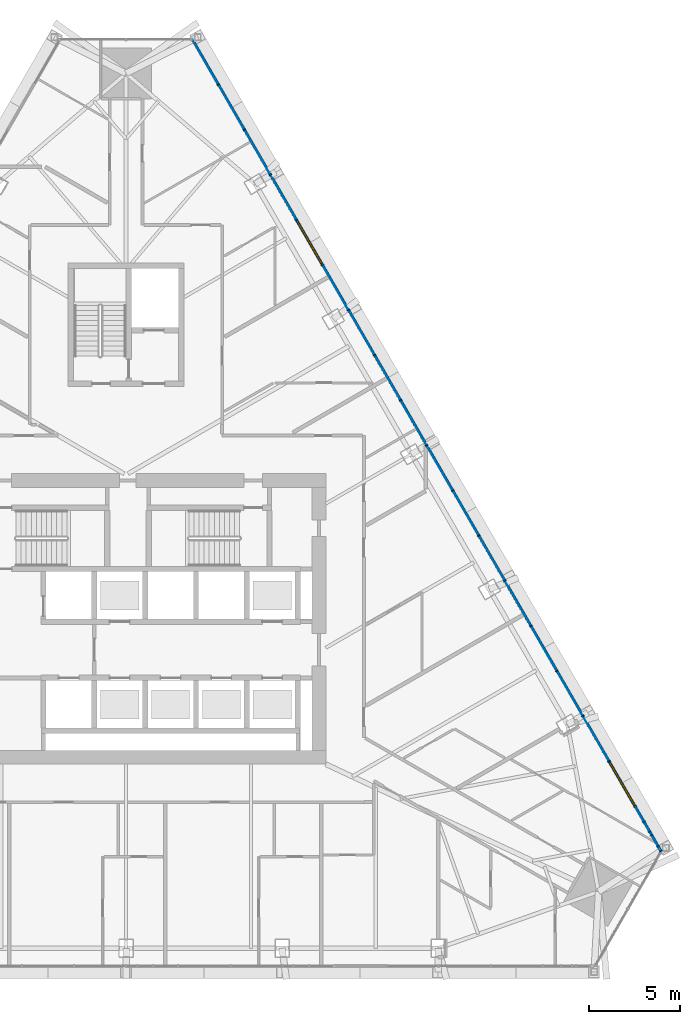
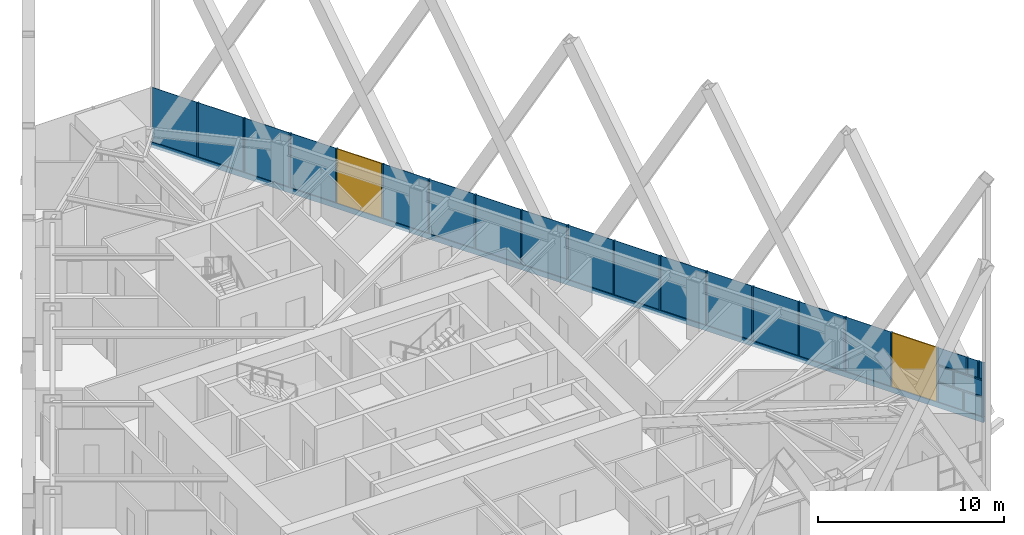
# One storey, part 13 of 23: 25 members, 22 plates, 2 windows, 2 openings, 1 element without a shape of its own.
"""IFC4 building model written with IfcOpenShell, lengths in metres."""

from ifc_helpers import new_model, si_unit, direction, frame, frame_2d, origin, origin_2d, place, context, subcontext, project, spatial, polyline, rectangle, outline, extrude, material, layer, layer_set, material_profile, profile_set, type_object, element, fill, aggregate, save


model = new_model("IFC4")

# Units and contexts
model_context = context("Model", 3, precision=1e-05, world=origin(), true_north=direction((0.0, 1.0)))
body_context = subcontext(model_context, "Body", "Model", "MODEL_VIEW")
ifc_project = project(units=[si_unit("LENGTHUNIT", "METRE"), si_unit("AREAUNIT", "SQUARE_METRE"), si_unit("VOLUMEUNIT", "CUBIC_METRE"), si_unit("PLANEANGLEUNIT", "RADIAN"), si_unit("MASSUNIT", "GRAM", prefix="KILO")], contexts=[model_context])

# Site, building, storey
site_placement = place(None, origin())
site = spatial("IfcSite", under=ifc_project, at=site_placement, CompositionType="ELEMENT")
building_placement = place(site_placement, origin())
building = spatial("IfcBuilding", under=site, at=building_placement, Name="Firuza Gate Tower and Library", CompositionType="ELEMENT")
storey_placement = place(building_placement, frame((0.0, 0.0, 202.60009765625)))
storey = spatial("IfcBuildingStorey", under=building, at=storey_placement, Name="L47", CompositionType="ELEMENT", Elevation=202.60009765625)

# Curtain wall, openings, members, plates, windows
ifc_material_1 = material(Name="Aluminium 6063-T6", Category="aluminium")
ifc_layer_1 = layer(ifc_material_1, 0.14990234375)
ifc_layer_set_1 = layer_set([ifc_layer_1], Name="Unitised curtain wall, hotel")
curtain_wall_type = type_object("IfcCurtainWallType", Name="Unitised curtain wall, hotel", PredefinedType="NOTDEFINED", material=ifc_layer_set_1)
curtain_wall_placement = place(storey_placement, origin())
curtain_wall = element("IfcCurtainWall", 1, at=curtain_wall_placement, inside=storey, type_object=curtain_wall_type, Name="CW2 L47 E face", PredefinedType="NOTDEFINED")
opening_1_placement = place(curtain_wall_placement, frame((103.01318359375, 64.71337890625, 0.14990234375), z_axis=(0.0, 0.0, 1.0), x_axis=(-0.5, 0.866025, 0.0)))
opening_1 = element("IfcOpeningElement", 2, at=opening_1_placement, cuts=curtain_wall, Name="Opening WD1-001", PredefinedType="OPENING", context=body_context, shape_type="SweptSolid", body=[
    extrude(rectangle(XDim=2.789306640625, YDim=3.550048828125, at=frame_2d((1.39453125, 1.77490234375))), frame((0.0, 0.0849609375, 0.0), z_axis=(0.0, -1.0, 0.0), x_axis=(1.0, 0.0, 0.0)), (0.0, 0.0, 1.0), 0.169921875),
])
opening_2_placement = place(curtain_wall_placement, frame((85.796875, 94.532958984375, 0.14990234375), z_axis=(0.0, 0.0, 1.0), x_axis=(-0.5, 0.866025, 0.0)))
opening_2 = element("IfcOpeningElement", 3, at=opening_2_placement, cuts=curtain_wall, Name="Opening WD1-002", PredefinedType="OPENING", context=body_context, shape_type="SweptSolid", body=[
    extrude(rectangle(XDim=2.789306640625, YDim=3.550048828125, at=frame_2d((1.39453125, 1.77490234375))), frame((0.0, 0.0849609375, 0.0), z_axis=(0.0, -1.0, 0.0), x_axis=(1.0, 0.0, 0.0)), (0.0, 0.0, 1.0), 0.169921875),
])
ifc_material_2 = material(Name="Aluminium 6063-T6", Category="aluminium")
ifc_material_profile_1 = material_profile(ifc_material_2, rectangle(XDim=0.14990234375, YDim=0.080078125, at=origin_2d()))
ifc_profile_set_1 = profile_set([ifc_material_profile_1], Name="Aluminium 6063-T6")
member_type_1 = type_object("IfcMemberType", Name="Curtain wall mullion 80x150", PredefinedType="MULLION", material=ifc_profile_set_1)
member_1_placement = place(storey_placement, frame((104.44775390625, 62.228271484375, 0.14990234375), z_axis=(0.0, 0.0, 1.0), x_axis=(-0.866025403784, -0.5, 0.0)))
member_1 = element("IfcMember", 4, at=member_1_placement, type_object=member_type_1, Name="Mullion", PredefinedType="MULLION", context=body_context, shape_type="SweptSolid", body=[
    extrude(rectangle(XDim=0.14990234375, YDim=0.080078125, at=origin_2d()), origin(), (0.0, 0.0, 1.0), 3.550048828125),
])
member_2_placement = place(storey_placement, frame((103.033203125, 64.6787109375, 0.14990234375), z_axis=(0.0, 0.0, 1.0), x_axis=(-0.866025403784, -0.5, 0.0)))
member_2 = element("IfcMember", 5, at=member_2_placement, type_object=member_type_1, Name="Mullion", PredefinedType="MULLION", context=body_context, shape_type="SweptSolid", body=[
    extrude(rectangle(XDim=0.14990234375, YDim=0.080078125, at=origin_2d()), origin(), (0.0, 0.0, 1.0), 3.550048828125),
])
member_3_placement = place(storey_placement, frame((101.598388671875, 67.16357421875, 0.14990234375), z_axis=(0.0, 0.0, 1.0), x_axis=(-0.866025403784, -0.5, 0.0)))
member_3 = element("IfcMember", 6, at=member_3_placement, type_object=member_type_1, Name="Mullion", PredefinedType="MULLION", context=body_context, shape_type="SweptSolid", body=[
    extrude(rectangle(XDim=0.14990234375, YDim=0.080078125, at=origin_2d()), origin(), (0.0, 0.0, 1.0), 3.550048828125),
])
member_4_placement = place(storey_placement, frame((100.163818359375, 69.648681640625, 0.14990234375), z_axis=(0.0, 0.0, 1.0), x_axis=(-0.866025403784, -0.5, 0.0)))
member_4 = element("IfcMember", 7, at=member_4_placement, type_object=member_type_1, Name="Mullion", PredefinedType="MULLION", context=body_context, shape_type="SweptSolid", body=[
    extrude(rectangle(XDim=0.14990234375, YDim=0.080078125, at=origin_2d()), origin(), (0.0, 0.0, 1.0), 3.550048828125),
])
member_5_placement = place(storey_placement, frame((98.72900390625, 72.133544921875, 0.14990234375), z_axis=(0.0, 0.0, 1.0), x_axis=(-0.866025403784, -0.5, 0.0)))
member_5 = element("IfcMember", 8, at=member_5_placement, type_object=member_type_1, Name="Mullion", PredefinedType="MULLION", context=body_context, shape_type="SweptSolid", body=[
    extrude(rectangle(XDim=0.14990234375, YDim=0.080078125, at=origin_2d()), origin(), (0.0, 0.0, 1.0), 3.550048828125),
])
member_6_placement = place(storey_placement, frame((97.29443359375, 74.618408203125, 0.14990234375), z_axis=(0.0, 0.0, 1.0), x_axis=(-0.866025403784, -0.5, 0.0)))
member_6 = element("IfcMember", 9, at=member_6_placement, type_object=member_type_1, Name="Mullion", PredefinedType="MULLION", context=body_context, shape_type="SweptSolid", body=[
    extrude(rectangle(XDim=0.14990234375, YDim=0.080078125, at=origin_2d()), origin(), (0.0, 0.0, 1.0), 3.550048828125),
])
member_7_placement = place(storey_placement, frame((95.859619140625, 77.103515625, 0.14990234375), z_axis=(0.0, 0.0, 1.0), x_axis=(-0.866025403784, -0.5, 0.0)))
member_7 = element("IfcMember", 10, at=member_7_placement, type_object=member_type_1, Name="Mullion", PredefinedType="MULLION", context=body_context, shape_type="SweptSolid", body=[
    extrude(rectangle(XDim=0.14990234375, YDim=0.080078125, at=origin_2d()), origin(), (0.0, 0.0, 1.0), 3.550048828125),
])
member_8_placement = place(storey_placement, frame((94.425048828125, 79.58837890625, 0.14990234375), z_axis=(0.0, 0.0, 1.0), x_axis=(-0.866025403784, -0.5, 0.0)))
member_8 = element("IfcMember", 11, at=member_8_placement, type_object=member_type_1, Name="Mullion", PredefinedType="MULLION", context=body_context, shape_type="SweptSolid", body=[
    extrude(rectangle(XDim=0.14990234375, YDim=0.080078125, at=origin_2d()), origin(), (0.0, 0.0, 1.0), 3.550048828125),
])
member_9_placement = place(storey_placement, frame((92.990234375, 82.073486328125, 0.14990234375), z_axis=(0.0, 0.0, 1.0), x_axis=(-0.866025403784, -0.5, 0.0)))
member_9 = element("IfcMember", 12, at=member_9_placement, type_object=member_type_1, Name="Mullion", PredefinedType="MULLION", context=body_context, shape_type="SweptSolid", body=[
    extrude(rectangle(XDim=0.14990234375, YDim=0.080078125, at=origin_2d()), origin(), (0.0, 0.0, 1.0), 3.550048828125),
])
member_10_placement = place(storey_placement, frame((91.5556640625, 84.558349609375, 0.14990234375), z_axis=(0.0, 0.0, 1.0), x_axis=(-0.866025403784, -0.5, 0.0)))
member_10 = element("IfcMember", 13, at=member_10_placement, type_object=member_type_1, Name="Mullion", PredefinedType="MULLION", context=body_context, shape_type="SweptSolid", body=[
    extrude(rectangle(XDim=0.14990234375, YDim=0.080078125, at=origin_2d()), origin(), (0.0, 0.0, 1.0), 3.550048828125),
])
member_11_placement = place(storey_placement, frame((90.120849609375, 87.043212890625, 0.14990234375), z_axis=(0.0, 0.0, 1.0), x_axis=(-0.866025403784, -0.5, 0.0)))
member_11 = element("IfcMember", 14, at=member_11_placement, type_object=member_type_1, Name="Mullion", PredefinedType="MULLION", context=body_context, shape_type="SweptSolid", body=[
    extrude(rectangle(XDim=0.14990234375, YDim=0.080078125, at=origin_2d()), origin(), (0.0, 0.0, 1.0), 3.550048828125),
])
member_12_placement = place(storey_placement, frame((88.686279296875, 89.5283203125, 0.14990234375), z_axis=(0.0, 0.0, 1.0), x_axis=(-0.866025403784, -0.5, 0.0)))
member_12 = element("IfcMember", 15, at=member_12_placement, type_object=member_type_1, Name="Mullion", PredefinedType="MULLION", context=body_context, shape_type="SweptSolid", body=[
    extrude(rectangle(XDim=0.14990234375, YDim=0.080078125, at=origin_2d()), origin(), (0.0, 0.0, 1.0), 3.550048828125),
])
member_13_placement = place(storey_placement, frame((87.25146484375, 92.01318359375, 0.14990234375), z_axis=(0.0, 0.0, 1.0), x_axis=(-0.866025403784, -0.5, 0.0)))
member_13 = element("IfcMember", 16, at=member_13_placement, type_object=member_type_1, Name="Mullion", PredefinedType="MULLION", context=body_context, shape_type="SweptSolid", body=[
    extrude(rectangle(XDim=0.14990234375, YDim=0.080078125, at=origin_2d()), origin(), (0.0, 0.0, 1.0), 3.550048828125),
])
member_14_placement = place(storey_placement, frame((85.81689453125, 94.498291015625, 0.14990234375), z_axis=(0.0, 0.0, 1.0), x_axis=(-0.866025403784, -0.5, 0.0)))
member_14 = element("IfcMember", 17, at=member_14_placement, type_object=member_type_1, Name="Mullion", PredefinedType="MULLION", context=body_context, shape_type="SweptSolid", body=[
    extrude(rectangle(XDim=0.14990234375, YDim=0.080078125, at=origin_2d()), origin(), (0.0, 0.0, 1.0), 3.550048828125),
])
member_15_placement = place(storey_placement, frame((84.382080078125, 96.983154296875, 0.14990234375), z_axis=(0.0, 0.0, 1.0), x_axis=(-0.866025403784, -0.5, 0.0)))
member_15 = element("IfcMember", 18, at=member_15_placement, type_object=member_type_1, Name="Mullion", PredefinedType="MULLION", context=body_context, shape_type="SweptSolid", body=[
    extrude(rectangle(XDim=0.14990234375, YDim=0.080078125, at=origin_2d()), origin(), (0.0, 0.0, 1.0), 3.550048828125),
])
member_16_placement = place(storey_placement, frame((82.947265625, 99.46826171875, 0.14990234375), z_axis=(0.0, 0.0, 1.0), x_axis=(-0.866025403784, -0.5, 0.0)))
member_16 = element("IfcMember", 19, at=member_16_placement, type_object=member_type_1, Name="Mullion", PredefinedType="MULLION", context=body_context, shape_type="SweptSolid", body=[
    extrude(rectangle(XDim=0.14990234375, YDim=0.080078125, at=origin_2d()), origin(), (0.0, 0.0, 1.0), 3.550048828125),
])
member_17_placement = place(storey_placement, frame((81.5126953125, 101.953125, 0.14990234375), z_axis=(0.0, 0.0, 1.0), x_axis=(-0.866025403784, -0.5, 0.0)))
member_17 = element("IfcMember", 20, at=member_17_placement, type_object=member_type_1, Name="Mullion", PredefinedType="MULLION", context=body_context, shape_type="SweptSolid", body=[
    extrude(rectangle(XDim=0.14990234375, YDim=0.080078125, at=origin_2d()), origin(), (0.0, 0.0, 1.0), 3.550048828125),
])
member_18_placement = place(storey_placement, frame((80.077880859375, 104.43798828125, 0.14990234375), z_axis=(0.0, 0.0, 1.0), x_axis=(-0.866025403784, -0.5, 0.0)))
member_18 = element("IfcMember", 21, at=member_18_placement, type_object=member_type_1, Name="Mullion", PredefinedType="MULLION", context=body_context, shape_type="SweptSolid", body=[
    extrude(rectangle(XDim=0.14990234375, YDim=0.080078125, at=origin_2d()), origin(), (0.0, 0.0, 1.0), 3.550048828125),
])
member_19_placement = place(storey_placement, frame((103.83544921875, 63.288818359375, 0.14990234375), z_axis=(0.0, 0.0, 1.0), x_axis=(-0.866025403784, -0.5, 0.0)))
member_19 = element("IfcMember", 22, at=member_19_placement, type_object=member_type_1, Name="Mullion", PredefinedType="MULLION", context=body_context, shape_type="SweptSolid", body=[
    extrude(rectangle(XDim=0.14990234375, YDim=0.080078125, at=origin_2d()), origin(), (0.0, 0.0, 1.0), 1.260009765625),
])
member_20_placement = place(storey_placement, frame((103.525634765625, 63.82568359375, 1.489990234375), z_axis=(0.0, 0.0, 1.0), x_axis=(-0.866025403784, -0.5, 0.0)))
member_20 = element("IfcMember", 23, at=member_20_placement, type_object=member_type_1, Name="Mullion", PredefinedType="MULLION", context=body_context, shape_type="SweptSolid", body=[
    extrude(rectangle(XDim=0.14990234375, YDim=0.080078125, at=origin_2d()), origin(), (0.0, 0.0, 1.0), 1.044921875),
])
member_21_placement = place(storey_placement, frame((104.30224609375, 62.48046875, 2.614990234375), z_axis=(0.0, 0.0, 1.0), x_axis=(-0.866025403784, -0.5, 0.0)))
member_21 = element("IfcMember", 24, at=member_21_placement, type_object=member_type_1, Name="Mullion", PredefinedType="MULLION", context=body_context, shape_type="SweptSolid", body=[
    extrude(rectangle(XDim=0.14990234375, YDim=0.080078125, at=origin_2d()), origin(), (0.0, 0.0, 1.0), 1.0849609375),
])
member_22_placement = place(storey_placement, frame((103.9482421875, 63.09375, 2.614990234375), z_axis=(0.0, 0.0, 1.0), x_axis=(-0.866025403784, -0.5, 0.0)))
member_22 = element("IfcMember", 25, at=member_22_placement, type_object=member_type_1, Name="Mullion", PredefinedType="MULLION", context=body_context, shape_type="SweptSolid", body=[
    extrude(rectangle(XDim=0.14990234375, YDim=0.080078125, at=origin_2d()), origin(), (0.0, 0.0, 1.0), 1.0849609375),
])
ifc_material_3 = material(Name="Aluminium 6063-T6", Category="aluminium")
ifc_material_profile_2 = material_profile(ifc_material_3, rectangle(XDim=0.14990234375, YDim=0.35009765625, at=origin_2d()))
ifc_profile_set_2 = profile_set([ifc_material_profile_2], Name="Aluminium 6063-T6")
member_type_2 = type_object("IfcMemberType", Name="Curtain wall transom 350x150", PredefinedType="USERDEFINED", material=ifc_profile_set_2)
member_23_placement = place(storey_placement, frame((104.4677734375, 62.193603515625, -0.025146484375), z_axis=(-0.499998236205, 0.86602642211, 0.0), x_axis=(-0.86602642211, -0.499998236205, 0.0)))
member_23 = element("IfcMember", 26, at=member_23_placement, type_object=member_type_2, Name="Transom", ObjectType="TRANSOM", PredefinedType="USERDEFINED", context=body_context, shape_type="SweptSolid", body=[
    extrude(rectangle(XDim=0.14990234375, YDim=0.35009765625, at=origin_2d()), origin(), (0.0, 0.0, 1.0), 51.649169921875),
])
ifc_material_4 = material(Name="Aluminium 6063-T6", Category="aluminium")
ifc_material_profile_3 = material_profile(ifc_material_4, rectangle(XDim=0.14990234375, YDim=0.080078125, at=origin_2d()))
ifc_profile_set_3 = profile_set([ifc_material_profile_3], Name="Aluminium 6063-T6")
member_type_3 = type_object("IfcMemberType", Name="Curtain wall transom 80x150", PredefinedType="USERDEFINED", material=ifc_profile_set_3)
member_24_placement = place(storey_placement, frame((104.44775390625, 62.228271484375, 1.449951171875), z_axis=(-0.499942172484, 0.866058787942, 0.0), x_axis=(-0.866058787942, -0.499942172484, 0.0)))
member_24 = element("IfcMember", 27, at=member_24_placement, type_object=member_type_3, Name="Transom", ObjectType="TRANSOM", PredefinedType="USERDEFINED", context=body_context, shape_type="SweptSolid", body=[
    extrude(rectangle(XDim=0.14990234375, YDim=0.080078125, at=origin_2d()), origin(), (0.0, 0.0, 1.0), 2.789306640625),
])
member_25_placement = place(storey_placement, frame((104.44775390625, 62.228271484375, 2.574951171875), z_axis=(-0.499942172484, 0.866058787942, 0.0), x_axis=(-0.866058787942, -0.499942172484, 0.0)))
member_25 = element("IfcMember", 28, at=member_25_placement, type_object=member_type_3, Name="Transom", ObjectType="TRANSOM", PredefinedType="USERDEFINED", context=body_context, shape_type="SweptSolid", body=[
    extrude(rectangle(XDim=0.14990234375, YDim=0.080078125, at=origin_2d()), origin(), (0.0, 0.0, 1.0), 2.789306640625),
])
ifc_material_5 = material(Name="Fritted glass", Category="glass")
ifc_layer_2 = layer(ifc_material_5, 0.030029296875)
ifc_layer_set_2 = layer_set([ifc_layer_2], Name="Fritted glass unit, hotel")
plate_type_1 = type_object("IfcPlateType", Name="Fritted glass unit, hotel", PredefinedType="CURTAIN_PANEL", material=ifc_layer_set_2)
plate_1_placement = place(storey_placement, frame((103.828369140625, 63.3310546875, 0.14990234375), z_axis=(0.866086938345, 0.499893403866, 0.0), x_axis=(-0.499893403866, 0.866086938345, 0.0)))
plate_1 = element("IfcPlate", 29, at=plate_1_placement, type_object=plate_type_1, Name="Glass unit", PredefinedType="CURTAIN_PANEL", context=body_context, shape_type="SweptSolid", body=[
    extrude(outline(polyline([(0.0, 0.0), (1.5247391250918054, 0.0), (1.5247391250918054, 1.260009765625), (0.0, 1.260009765625), (0.0, 0.0)])), origin(), (0.0, 0.0, -1.0), 0.030029296875),
])
plate_2_placement = place(storey_placement, frame((103.5185546875, 63.86767578125, 1.489990234375), z_axis=(0.866127201872, 0.499823639075, 0.0), x_axis=(-0.499823639075, 0.866127201872, 0.0)))
plate_2 = element("IfcPlate", 30, at=plate_2_placement, type_object=plate_type_1, Name="Glass unit", PredefinedType="CURTAIN_PANEL", context=body_context, shape_type="SweptSolid", body=[
    extrude(outline(polyline([(0.0, 0.0), (0.9051044063514383, 0.0), (0.9051044063514383, 1.044921875), (0.0, 1.044921875), (0.0, 0.0)])), origin(), (0.0, 0.0, -1.0), 0.030029296875),
])
plate_3_placement = place(storey_placement, frame((104.295166015625, 62.522705078125, 2.614990234375), z_axis=(0.866082022179, 0.49990192124, 0.0), x_axis=(-0.49990192124, 0.866082022179, 0.0)))
plate_3 = element("IfcPlate", 31, at=plate_3_placement, type_object=plate_type_1, Name="Glass unit", PredefinedType="CURTAIN_PANEL", context=body_context, shape_type="SweptSolid", body=[
    extrude(outline(polyline([(0.0, 0.0), (0.6280528847968812, 0.0), (0.6280528847968812, 1.0849609375), (0.0, 1.0849609375), (0.0, 0.0)])), origin(), (0.0, 0.0, -1.0), 0.030029296875),
])
plate_4_placement = place(storey_placement, frame((98.721923828125, 72.17578125, 0.14990234375), z_axis=(0.866036909293, 0.499980071345, 0.0), x_axis=(-0.499980071345, 0.866036909293, 0.0)))
plate_4 = element("IfcPlate", 32, at=plate_4_placement, type_object=plate_type_1, Name="Glass unit", PredefinedType="CURTAIN_PANEL", context=body_context, shape_type="SweptSolid", body=[
    extrude(outline(polyline([(0.0, 0.0), (2.789173668961919, 0.0), (2.789173668961919, 3.550048828125), (0.0, 3.550048828125), (0.0, 0.0)])), origin(), (0.0, 0.0, -1.0), 0.030029296875),
])
plate_5_placement = place(storey_placement, frame((94.41796875, 79.630615234375, 0.14990234375), z_axis=(0.865999007209, 0.500045717423, 0.0), x_axis=(-0.500045717423, 0.865999007209, 0.0)))
plate_5 = element("IfcPlate", 33, at=plate_5_placement, type_object=plate_type_1, Name="Glass unit", PredefinedType="CURTAIN_PANEL", context=body_context, shape_type="SweptSolid", body=[
    extrude(outline(polyline([(0.0, 0.0), (2.7892957424226377, 0.0), (2.7892957424226377, 3.550048828125), (0.0, 3.550048828125), (0.0, 0.0)])), origin(), (0.0, 0.0, -1.0), 0.030029296875),
])
plate_6_placement = place(storey_placement, frame((90.11376953125, 87.08544921875, 0.14990234375), z_axis=(0.866058787942, 0.499942172484, 0.0), x_axis=(-0.499942172484, 0.866058787942, 0.0)))
plate_6 = element("IfcPlate", 34, at=plate_6_placement, type_object=plate_type_1, Name="Glass unit", PredefinedType="CURTAIN_PANEL", context=body_context, shape_type="SweptSolid", body=[
    extrude(outline(polyline([(0.0, 0.0), (2.789385106425062, 0.0), (2.789385106425062, 3.550048828125), (0.0, 3.550048828125), (0.0, 0.0)])), origin(), (0.0, 0.0, -1.0), 0.030029296875),
])
plate_7_placement = place(storey_placement, frame((81.505615234375, 101.995361328125, 0.14990234375), z_axis=(0.866036909293, 0.499980071345, 0.0), x_axis=(-0.499980071345, 0.866036909293, 0.0)))
plate_7 = element("IfcPlate", 35, at=plate_7_placement, type_object=plate_type_1, Name="Glass unit", PredefinedType="CURTAIN_PANEL", context=body_context, shape_type="SweptSolid", body=[
    extrude(outline(polyline([(0.0, 0.0), (2.789173668961919, 0.0), (2.789173668961919, 3.550048828125), (0.0, 3.550048828125), (0.0, 0.0)])), origin(), (0.0, 0.0, -1.0), 0.030029296875),
])
ifc_material_6 = material(Name="Glazed ceramic tile")
ifc_layer_3 = layer(ifc_material_6, 0.030029296875)
ifc_layer_set_3 = layer_set([ifc_layer_3], Name="Opaque ceramic panel, hotel")
plate_type_2 = type_object("IfcPlateType", Name="Opaque ceramic panel, hotel", PredefinedType="CURTAIN_PANEL", material=ifc_layer_set_3)
plate_8_placement = place(storey_placement, frame((104.460693359375, 62.23583984375, 0.14990234375), z_axis=(0.866027709035, 0.499996007168, 0.0), x_axis=(-0.499996007168, 0.866027709035, 0.0)))
plate_8 = element("IfcPlate", 36, at=plate_8_placement, type_object=plate_type_2, Name="Opaque ceramic panel", PredefinedType="CURTAIN_PANEL", context=body_context, shape_type="SweptSolid", body=[
    extrude(outline(polyline([(0.0, 0.0), (1.1845797721566846, 0.0), (1.1845797721566846, 1.260009765625), (0.0, 1.260009765625), (0.0, 0.0)])), origin(), (0.0, 0.0, -1.0), 0.030029296875),
])
plate_9_placement = place(storey_placement, frame((104.460693359375, 62.23583984375, 1.489990234375), z_axis=(0.866027848477, 0.499995765644, 0.0), x_axis=(-0.499995765644, 0.866027848477, 0.0)))
plate_9 = element("IfcPlate", 37, at=plate_9_placement, type_object=plate_type_2, Name="Opaque ceramic panel", PredefinedType="CURTAIN_PANEL", context=body_context, shape_type="SweptSolid", body=[
    extrude(outline(polyline([(0.0, 0.0), (1.8042144981222514, 0.0), (1.8042144981222514, 1.044921875), (0.0, 1.044921875), (0.0, 0.0)])), origin(), (0.0, 0.0, -1.0), 0.030029296875),
])
plate_10_placement = place(storey_placement, frame((104.460693359375, 62.23583984375, 2.614990234375), z_axis=(0.866201770413, 0.499694399542, 0.0), x_axis=(-0.499694399542, 0.866201770413, 0.0)))
plate_10 = element("IfcPlate", 38, at=plate_10_placement, type_object=plate_type_2, Name="Opaque ceramic panel", PredefinedType="CURTAIN_PANEL", context=body_context, shape_type="SweptSolid", body=[
    extrude(outline(polyline([(0.0, 0.0), (0.25113005341856437, 0.0), (0.25113005341856437, 1.0849609375), (0.0, 1.0849609375), (0.0, 0.0)])), origin(), (0.0, 0.0, -1.0), 0.030029296875),
])
plate_11_placement = place(storey_placement, frame((103.941162109375, 63.1357421875, 2.614990234375), z_axis=(0.866071776036, 0.499919672301, 0.0), x_axis=(-0.499919672301, 0.866071776036, 0.0)))
plate_11 = element("IfcPlate", 39, at=plate_11_placement, type_object=plate_type_2, Name="Opaque ceramic panel", PredefinedType="CURTAIN_PANEL", context=body_context, shape_type="SweptSolid", body=[
    extrude(outline(polyline([(0.0, 0.0), (1.7502811921229047, 0.0), (1.7502811921229047, 1.0849609375), (0.0, 1.0849609375), (0.0, 0.0)])), origin(), (0.0, 0.0, -1.0), 0.030029296875),
])
plate_12_placement = place(storey_placement, frame((101.59130859375, 67.205810546875, 0.14990234375), z_axis=(0.866036909293, 0.499980071345, 0.0), x_axis=(-0.499980071345, 0.866036909293, 0.0)))
plate_12 = element("IfcPlate", 40, at=plate_12_placement, type_object=plate_type_2, Name="Opaque ceramic panel", PredefinedType="CURTAIN_PANEL", context=body_context, shape_type="SweptSolid", body=[
    extrude(outline(polyline([(0.0, 0.0), (2.789173668961919, 0.0), (2.789173668961919, 3.550048828125), (0.0, 3.550048828125), (0.0, 0.0)])), origin(), (0.0, 0.0, -1.0), 0.030029296875),
])
plate_13_placement = place(storey_placement, frame((100.15673828125, 69.690673828125, 0.14990234375), z_axis=(0.866020890646, 0.500007816904, 0.0), x_axis=(-0.500007816904, 0.866020890646, 0.0)))
plate_13 = element("IfcPlate", 41, at=plate_13_placement, type_object=plate_type_2, Name="Opaque ceramic panel", PredefinedType="CURTAIN_PANEL", context=body_context, shape_type="SweptSolid", body=[
    extrude(outline(polyline([(0.0, 0.0), (2.789507170632926, 0.0), (2.789507170632926, 3.550048828125), (0.0, 3.550048828125), (0.0, 0.0)])), origin(), (0.0, 0.0, -1.0), 0.030029296875),
])
plate_14_placement = place(storey_placement, frame((97.287353515625, 74.66064453125, 0.14990234375), z_axis=(0.866020890646, 0.500007816904, 0.0), x_axis=(-0.500007816904, 0.866020890646, 0.0)))
plate_14 = element("IfcPlate", 42, at=plate_14_placement, type_object=plate_type_2, Name="Opaque ceramic panel", PredefinedType="CURTAIN_PANEL", context=body_context, shape_type="SweptSolid", body=[
    extrude(outline(polyline([(0.0, 0.0), (2.789507170632926, 0.0), (2.789507170632926, 3.550048828125), (0.0, 3.550048828125), (0.0, 0.0)])), origin(), (0.0, 0.0, -1.0), 0.030029296875),
])
plate_15_placement = place(storey_placement, frame((95.8525390625, 77.1455078125, 0.14990234375), z_axis=(0.866058787942, 0.499942172484, 0.0), x_axis=(-0.499942172484, 0.866058787942, 0.0)))
plate_15 = element("IfcPlate", 43, at=plate_15_placement, type_object=plate_type_2, Name="Opaque ceramic panel", PredefinedType="CURTAIN_PANEL", context=body_context, shape_type="SweptSolid", body=[
    extrude(outline(polyline([(0.0, 0.0), (2.789385106425062, 0.0), (2.789385106425062, 3.550048828125), (0.0, 3.550048828125), (0.0, 0.0)])), origin(), (0.0, 0.0, -1.0), 0.030029296875),
])
plate_16_placement = place(storey_placement, frame((92.983154296875, 82.115478515625, 0.14990234375), z_axis=(0.866058787942, 0.499942172484, 0.0), x_axis=(-0.499942172484, 0.866058787942, 0.0)))
plate_16 = element("IfcPlate", 44, at=plate_16_placement, type_object=plate_type_2, Name="Opaque ceramic panel", PredefinedType="CURTAIN_PANEL", context=body_context, shape_type="SweptSolid", body=[
    extrude(outline(polyline([(0.0, 0.0), (2.789385106425062, 0.0), (2.789385106425062, 3.550048828125), (0.0, 3.550048828125), (0.0, 0.0)])), origin(), (0.0, 0.0, -1.0), 0.030029296875),
])
plate_17_placement = place(storey_placement, frame((91.548583984375, 84.6005859375, 0.14990234375), z_axis=(0.865999007209, 0.500045717423, 0.0), x_axis=(-0.500045717423, 0.865999007209, 0.0)))
plate_17 = element("IfcPlate", 45, at=plate_17_placement, type_object=plate_type_2, Name="Opaque ceramic panel", PredefinedType="CURTAIN_PANEL", context=body_context, shape_type="SweptSolid", body=[
    extrude(outline(polyline([(0.0, 0.0), (2.7892957424226377, 0.0), (2.7892957424226377, 3.550048828125), (0.0, 3.550048828125), (0.0, 0.0)])), origin(), (0.0, 0.0, -1.0), 0.030029296875),
])
plate_18_placement = place(storey_placement, frame((88.67919921875, 89.5703125, 0.14990234375), z_axis=(0.866020890646, 0.500007816904, 0.0), x_axis=(-0.500007816904, 0.866020890646, 0.0)))
plate_18 = element("IfcPlate", 46, at=plate_18_placement, type_object=plate_type_2, Name="Opaque ceramic panel", PredefinedType="CURTAIN_PANEL", context=body_context, shape_type="SweptSolid", body=[
    extrude(outline(polyline([(0.0, 0.0), (2.789507170632926, 0.0), (2.789507170632926, 3.550048828125), (0.0, 3.550048828125), (0.0, 0.0)])), origin(), (0.0, 0.0, -1.0), 0.030029296875),
])
plate_19_placement = place(storey_placement, frame((87.244384765625, 92.055419921875, 0.14990234375), z_axis=(0.866058787942, 0.499942172484, 0.0), x_axis=(-0.499942172484, 0.866058787942, 0.0)))
plate_19 = element("IfcPlate", 47, at=plate_19_placement, type_object=plate_type_2, Name="Opaque ceramic panel", PredefinedType="CURTAIN_PANEL", context=body_context, shape_type="SweptSolid", body=[
    extrude(outline(polyline([(0.0, 0.0), (2.789385106425062, 0.0), (2.789385106425062, 3.550048828125), (0.0, 3.550048828125), (0.0, 0.0)])), origin(), (0.0, 0.0, -1.0), 0.030029296875),
])
plate_20_placement = place(storey_placement, frame((84.375, 97.025390625, 0.14990234375), z_axis=(0.866036909293, 0.499980071345, 0.0), x_axis=(-0.499980071345, 0.866036909293, 0.0)))
plate_20 = element("IfcPlate", 48, at=plate_20_placement, type_object=plate_type_2, Name="Opaque ceramic panel", PredefinedType="CURTAIN_PANEL", context=body_context, shape_type="SweptSolid", body=[
    extrude(outline(polyline([(0.0, 0.0), (2.789173668961919, 0.0), (2.789173668961919, 3.550048828125), (0.0, 3.550048828125), (0.0, 0.0)])), origin(), (0.0, 0.0, -1.0), 0.030029296875),
])
plate_21_placement = place(storey_placement, frame((82.9404296875, 99.51025390625, 0.14990234375), z_axis=(0.866020890646, 0.500007816904, 0.0), x_axis=(-0.500007816904, 0.866020890646, 0.0)))
plate_21 = element("IfcPlate", 49, at=plate_21_placement, type_object=plate_type_2, Name="Opaque ceramic panel", PredefinedType="CURTAIN_PANEL", context=body_context, shape_type="SweptSolid", body=[
    extrude(outline(polyline([(0.0, 0.0), (2.789507170632926, 0.0), (2.789507170632926, 3.550048828125), (0.0, 3.550048828125), (0.0, 0.0)])), origin(), (0.0, 0.0, -1.0), 0.030029296875),
])
plate_22_placement = place(storey_placement, frame((80.071044921875, 104.480224609375, 0.14990234375), z_axis=(0.866020890646, 0.500007816904, 0.0), x_axis=(-0.500007816904, 0.866020890646, 0.0)))
plate_22 = element("IfcPlate", 50, at=plate_22_placement, type_object=plate_type_2, Name="Opaque ceramic panel", PredefinedType="CURTAIN_PANEL", context=body_context, shape_type="SweptSolid", body=[
    extrude(outline(polyline([(0.0, 0.0), (2.789507170632926, 0.0), (2.789507170632926, 3.550048828125), (0.0, 3.550048828125), (0.0, 0.0)])), origin(), (0.0, 0.0, -1.0), 0.030029296875),
])
aggregate(curtain_wall, [member_1, member_2, member_3, member_4, member_5, member_6, member_7, member_8, member_9, member_10, member_11, member_12, member_13, member_14, member_15, member_16, member_17, member_18, member_23, plate_8, plate_1, plate_9, plate_2, plate_10, plate_3, plate_11, member_19, member_20, member_21, member_22, member_24, member_25, plate_12, plate_13, plate_4, plate_14, plate_15, plate_5, plate_16, plate_17, plate_6, plate_18, plate_19, plate_20, plate_21, plate_7, plate_22])
ifc_material_7 = material(Name="Aluminium 6063-T6 and glass", Category="aluminium")
ifc_layer_4 = layer(ifc_material_7, 0.030029296875)
ifc_layer_set_4 = layer_set([ifc_layer_4], Name="Operable glazed unit")
window_type = type_object("IfcWindowType", Name="Operable glazed unit", PartitioningType="SINGLE_PANEL", PredefinedType="WINDOW", material=ifc_layer_set_4)
window_1_placement = place(opening_1_placement, origin())
window_1 = element("IfcWindow", 51, at=window_1_placement, inside=storey, type_object=window_type, Name="Operable glazed unit", OverallHeight=3.550048828125, OverallWidth=2.789306640625, PartitioningType="SINGLE_PANEL", PredefinedType="WINDOW", context=body_context, shape_type="SweptSolid", body=[
    extrude(rectangle(XDim=2.789306640625, YDim=3.550048828125, at=frame_2d((1.39453125, 1.77490234375))), frame((0.0, 0.030029296875, 0.0), z_axis=(0.0, -1.0, 0.0), x_axis=(1.0, 0.0, 0.0)), (0.0, 0.0, 1.0), 0.06005859375),
])
fill(opening_1, window_1)
window_2_placement = place(opening_2_placement, origin())
window_2 = element("IfcWindow", 52, at=window_2_placement, inside=storey, type_object=window_type, Name="Operable glazed unit", OverallHeight=3.550048828125, OverallWidth=2.789306640625, PartitioningType="SINGLE_PANEL", PredefinedType="WINDOW", context=body_context, shape_type="SweptSolid", body=[
    extrude(rectangle(XDim=2.789306640625, YDim=3.550048828125, at=frame_2d((1.39453125, 1.77490234375))), frame((0.0, 0.030029296875, 0.0), z_axis=(0.0, -1.0, 0.0), x_axis=(1.0, 0.0, 0.0)), (0.0, 0.0, 1.0), 0.06005859375),
])
fill(opening_2, window_2)

save(model, "model.ifc")
